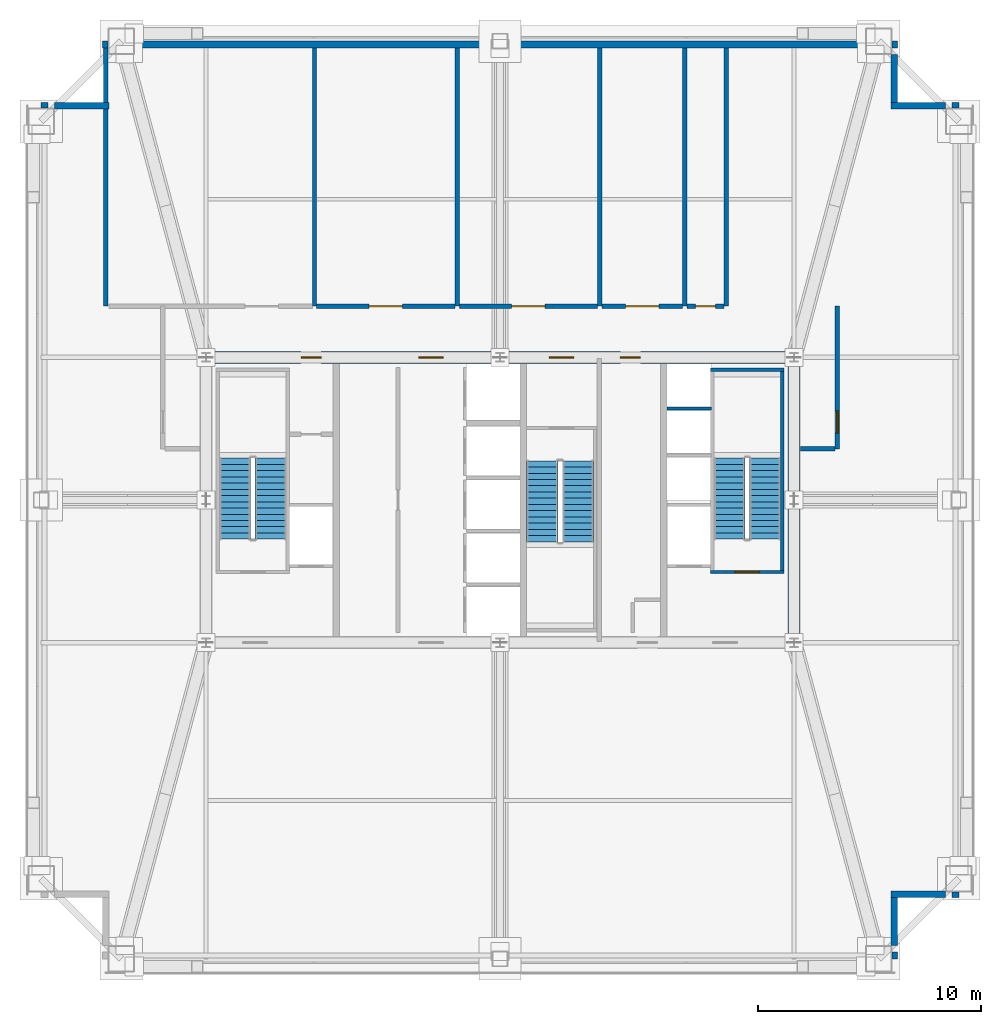
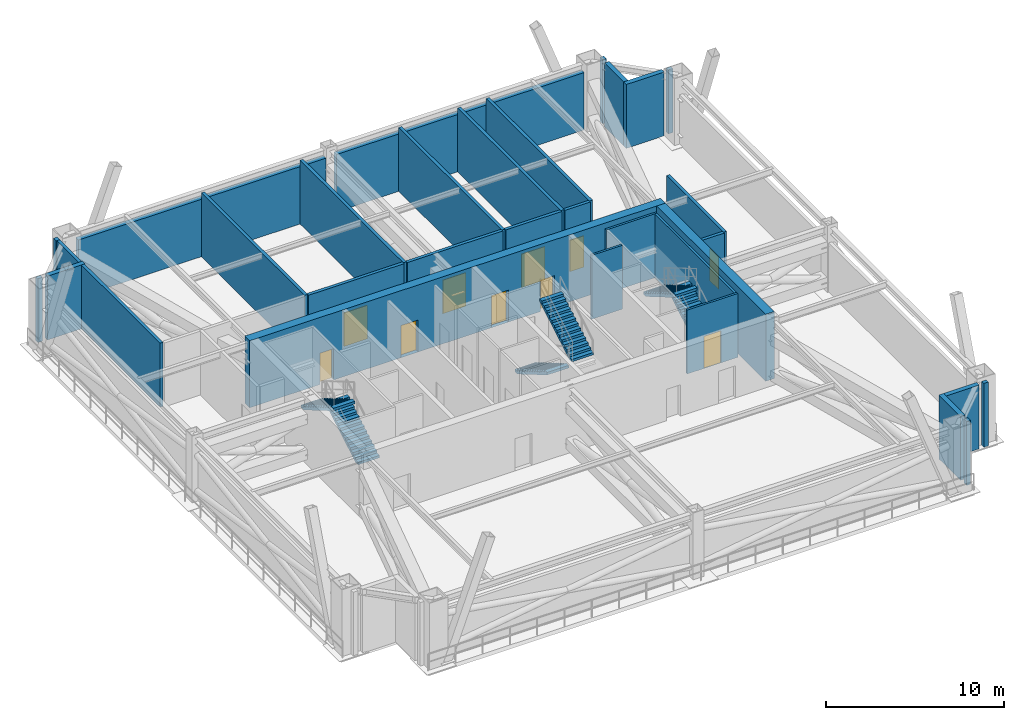
# One storey, part 5 of 9: 31 walls, 10 doors, 6 stair flights, 10 openings, 3 elements without a shape of their own.
"""IFC4 building model written with IfcOpenShell, lengths in metres."""

import ifcopenshell
import ifcopenshell.guid

model = None  # the IFC model being written
_history = None  # IfcOwnerHistory: only IFC2X3 demands one
_inside = {}  # id of a spatial element -> (the spatial element, [elements in it])
_under = {}  # id of a project, library or spatial element -> (it, [spatial elements below it])
_declared = {}  # id of a project -> (the project, [libraries it declares])
_typed = {}  # id of a type object -> (the type object, [elements of that type])
_made_of = {}  # id of a material, layer set ... -> (it, [elements and type objects made of it])


def new_model(schema):
    """Start an empty IFC model of exactly this schema.

    Asked for "IFC4X3", IfcOpenShell would pick the latest addendum, in which some entities
    have other attributes; the version numbers below select the first issue.
    IFC2X3 requires an IfcOwnerHistory on every rooted entity: one is made here for all.
    """
    global model, _history
    if schema == "IFC4X3":
        model = ifcopenshell.file(schema_version=(4, 3, 0, 0))
    else:
        model = ifcopenshell.file(schema=schema)
    _inside.clear()
    _under.clear()
    _declared.clear()
    _typed.clear()
    _made_of.clear()
    _history = None
    if model.schema == "IFC2X3":
        org = make("IfcOrganization", Name="unknown")
        user = make(
            "IfcPersonAndOrganization",
            ThePerson=make("IfcPerson", FamilyName="unknown"),
            TheOrganization=org,
        )
        app = make(
            "IfcApplication",
            ApplicationDeveloper=org,
            Version="unknown",
            ApplicationFullName="unknown",
            ApplicationIdentifier="unknown",
        )
        _history = make(
            "IfcOwnerHistory",
            OwningUser=user,
            OwningApplication=app,
            ChangeAction="ADDED",
            CreationDate=0,
        )
    return model


def make(cls, **values):
    """One entity of the class cls with the attributes given. An attribute that is None is left unset."""
    return model.create_entity(
        cls, **{name: value for name, value in values.items() if value is not None}
    )


def rooted(cls, **values):
    """An entity with a GlobalId (a new one), such as an element, a storey or a relation."""
    return make(cls, GlobalId=ifcopenshell.guid.new(), OwnerHistory=_history, **values)


def si_unit(unit_type, name, prefix=None):
    """IfcSIUnit, for example si_unit("LENGTHUNIT", "METRE", prefix="MILLI")."""
    return make("IfcSIUnit", UnitType=unit_type, Prefix=prefix, Name=name)


def assignment(units):
    """IfcUnitAssignment: the units of a project."""
    return None if units is None else make("IfcUnitAssignment", Units=units)


def point(xyz):
    """IfcCartesianPoint."""
    return None if xyz is None else make("IfcCartesianPoint", Coordinates=xyz)


def direction(xyz):
    """IfcDirection."""
    return None if xyz is None else make("IfcDirection", DirectionRatios=xyz)


def frame(location, z_axis=None, x_axis=None):
    """IfcAxis2Placement3D, a coordinate frame: its origin and axes. An axis left out is left unset."""
    return make(
        "IfcAxis2Placement3D",
        Location=point(location),
        Axis=direction(z_axis),
        RefDirection=direction(x_axis),
    )


def frame_2d(location, x_axis=None):
    """IfcAxis2Placement2D, a coordinate frame in the plane: its origin and x axis."""
    return make(
        "IfcAxis2Placement2D", Location=point(location), RefDirection=direction(x_axis)
    )


def origin():
    """The frame at (0, 0, 0) with its axes left unset."""
    return frame((0.0, 0.0, 0.0))


def place(relative_to, where):
    """IfcLocalPlacement: puts the frame where relative to a parent placement (None: the world)."""
    return make(
        "IfcLocalPlacement", PlacementRelTo=relative_to, RelativePlacement=where
    )


def context(
    kind, dimensions, precision=None, world=None, true_north=None, identifier=None
):
    """IfcGeometricRepresentationContext, for example the 3D "Model" context."""
    return make(
        "IfcGeometricRepresentationContext",
        ContextIdentifier=identifier,
        ContextType=kind,
        CoordinateSpaceDimension=dimensions,
        Precision=precision,
        WorldCoordinateSystem=world,
        TrueNorth=true_north,
    )


def subcontext(parent, identifier, kind, view, scale=None):
    """IfcGeometricRepresentationSubContext, for example "Body" below "Model"."""
    return make(
        "IfcGeometricRepresentationSubContext",
        ContextIdentifier=identifier,
        ContextType=kind,
        ParentContext=parent,
        TargetScale=scale,
        TargetView=view,
    )


def project(units=None, contexts=None):
    """IfcProject with its units and contexts."""
    return rooted(
        "IfcProject",
        Name="project",
        RepresentationContexts=contexts,
        UnitsInContext=assignment(units),
    )


def spatial(cls, under=None, at=None, **own):
    """A site, building, storey or space (cls), placed at a placement, below another one or the project."""
    s = rooted(cls, ObjectPlacement=at, **own)
    if under is not None:
        _under.setdefault(under.id(), (under, []))[1].append(s)
    return s


def polyline(points):
    """IfcPolyline through the points."""
    return make("IfcPolyline", Points=[point(p) for p in points])


def profile(cls, at=None, kind="AREA", **sizes):
    """A parametric profile (cls). Its sizes go by their IFC names, for example OverallWidth=200.0."""
    return make(cls, ProfileType=kind, Position=at, **sizes)


def rectangle(**sizes):
    """IfcRectangleProfileDef."""
    return profile("IfcRectangleProfileDef", **sizes)


def outline(outer, holes=None, kind="AREA"):
    """IfcArbitraryClosedProfileDef: a profile drawn as a closed curve; with holes, ...WithVoids."""
    if holes is None:
        return make("IfcArbitraryClosedProfileDef", ProfileType=kind, OuterCurve=outer)
    return make(
        "IfcArbitraryProfileDefWithVoids",
        ProfileType=kind,
        OuterCurve=outer,
        InnerCurves=holes,
    )


def extrude(swept, where, along, depth):
    """IfcExtrudedAreaSolid: the profile swept, set in the frame where, extruded along a direction by depth."""
    return make(
        "IfcExtrudedAreaSolid",
        SweptArea=swept,
        Position=where,
        ExtrudedDirection=direction(along),
        Depth=depth,
    )


def shape(context_of_items, identifier, shape_type, items):
    """IfcShapeRepresentation: the items that make up one representation, for example the "Body"."""
    return make(
        "IfcShapeRepresentation",
        ContextOfItems=context_of_items,
        RepresentationIdentifier=identifier,
        RepresentationType=shape_type,
        Items=items,
    )


def source(mapping_origin, context_of_items, identifier, shape_type, items):
    """IfcRepresentationMap: a shape defined once, which mapped items show again and again."""
    return make(
        "IfcRepresentationMap",
        MappingOrigin=mapping_origin,
        MappedRepresentation=shape(context_of_items, identifier, shape_type, items),
    )


def transform(
    local_origin,
    x_axis=None,
    y_axis=None,
    z_axis=None,
    scale=None,
    scale2=None,
    scale3=None,
    uniform=True,
):
    """IfcCartesianTransformationOperator3D, or its non-uniform kind. x_axis, y_axis, z_axis: its Axis1, 2, 3."""
    if uniform:
        return make(
            "IfcCartesianTransformationOperator3D",
            Axis1=direction(x_axis),
            Axis2=direction(y_axis),
            LocalOrigin=point(local_origin),
            Scale=scale,
            Axis3=direction(z_axis),
        )
    return make(
        "IfcCartesianTransformationOperator3DnonUniform",
        Axis1=direction(x_axis),
        Axis2=direction(y_axis),
        LocalOrigin=point(local_origin),
        Scale=scale,
        Axis3=direction(z_axis),
        Scale2=scale2,
        Scale3=scale3,
    )


def mapped(mapping_source, mapping_target):
    """IfcMappedItem: shows the shape of a source again, moved by a transform."""
    return make(
        "IfcMappedItem", MappingSource=mapping_source, MappingTarget=mapping_target
    )


def material(Name=None, Category=None):
    """IfcMaterial."""
    return make("IfcMaterial", Name=Name, Category=Category)


def layer(
    of_material, thickness, ventilated=None, Name=None, Category=None, Priority=None
):
    """IfcMaterialLayer: one layer of a wall or slab, of a material (None: an air gap)."""
    return make(
        "IfcMaterialLayer",
        Material=of_material,
        LayerThickness=thickness,
        IsVentilated=ventilated,
        Name=Name,
        Category=Category,
        Priority=Priority,
    )


def layer_set(layers, Name=None):
    """IfcMaterialLayerSet."""
    return make("IfcMaterialLayerSet", MaterialLayers=layers, LayerSetName=Name)


def made_of(thing, what):
    """Note that an element or type object is made of a material, layer set ...; save() writes the relation."""
    if what is not None:
        _made_of.setdefault(what.id(), (what, []))[1].append(thing)
    return thing


def type_object(cls, material=None, **own):
    """A type object (cls), such as IfcWallType, which elements share."""
    return made_of(rooted(cls, **own), material)


def element(
    cls,
    number,
    at=None,
    inside=None,
    cuts=None,
    type_object=None,
    material=None,
    context=None,
    identifier="Body",
    shape_type=None,
    held_by="IfcProductDefinitionShape",
    body=None,
    shapes=None,
    **own,
):
    """One element of the class cls, such as IfcWall. Its Tag is "e" and its number.

    at: its placement. inside: the storey or other place that contains it. cuts: it is an
    opening in that element (IfcRelVoidsElement). A single representation is given by context,
    identifier, shape_type and body (its items); several are given by shapes. held_by: the class
    of the entity that holds the representations. save() writes the other relations.
    """
    e = rooted(cls, Tag="e%d" % number, ObjectPlacement=at, **own)
    if body is not None:
        shapes = [shape(context, identifier, shape_type, body)]
    if shapes is not None:
        e.Representation = make(held_by, Representations=shapes)
    if inside is not None:
        _inside.setdefault(inside.id(), (inside, []))[1].append(e)
    if cuts is not None:
        rooted(
            "IfcRelVoidsElement", RelatingBuildingElement=cuts, RelatedOpeningElement=e
        )
    if type_object is not None:
        _typed.setdefault(type_object.id(), (type_object, []))[1].append(e)
    return made_of(e, material)


def fill(opening, filler):
    """IfcRelFillsElement: the door or window that sits in an opening."""
    return rooted(
        "IfcRelFillsElement",
        RelatingOpeningElement=opening,
        RelatedBuildingElement=filler,
    )


def aggregate(whole, parts):
    """IfcRelAggregates: a whole, such as a stair, and the parts it consists of."""
    return rooted("IfcRelAggregates", RelatingObject=whole, RelatedObjects=parts)


def save(model, path):
    """Write the relations noted so far, then the file.

    IfcRelAggregates (storeys below a building ...), IfcRelContainedInSpatialStructure (elements
    in a storey), IfcRelDefinesByType, IfcRelAssociatesMaterial and IfcRelDeclares: one each for
    every whole, place, type object, material and project.
    """
    for whole, parts in _under.values():
        aggregate(whole, parts)
    for where, things in _inside.values():
        rooted(
            "IfcRelContainedInSpatialStructure",
            RelatedElements=things,
            RelatingStructure=where,
        )
    for kind, things in _typed.values():
        rooted("IfcRelDefinesByType", RelatedObjects=things, RelatingType=kind)
    for what, things in _made_of.values():
        rooted("IfcRelAssociatesMaterial", RelatedObjects=things, RelatingMaterial=what)
    for by, libraries in _declared.values():
        rooted("IfcRelDeclares", RelatingContext=by, RelatedDefinitions=libraries)
    model.write(path)


model = new_model("IFC4")

# Units and contexts
model_context = context("Model", 3, precision=1e-05, world=origin(), true_north=direction((0.0, 1.0)))
body_context = subcontext(model_context, "Body", "Model", "MODEL_VIEW")
ifc_project = project(units=[si_unit("LENGTHUNIT", "METRE"), si_unit("AREAUNIT", "SQUARE_METRE"), si_unit("VOLUMEUNIT", "CUBIC_METRE"), si_unit("PLANEANGLEUNIT", "RADIAN"), si_unit("MASSUNIT", "GRAM", prefix="KILO"), si_unit("THERMODYNAMICTEMPERATUREUNIT", "KELVIN"), si_unit("POWERUNIT", "WATT")], contexts=[model_context])

# Site, building, storey
site_placement = place(None, origin())
site = spatial("IfcSite", under=ifc_project, at=site_placement, CompositionType="ELEMENT")
building_placement = place(site_placement, origin())
building = spatial("IfcBuilding", under=site, at=building_placement, Name="Yuzanri Waterfront Tower", CompositionType="ELEMENT")
storey_placement = place(building_placement, frame((0.0, 0.0, 219.5)))
storey = spatial("IfcBuildingStorey", under=building, at=storey_placement, Name="L58", CompositionType="ELEMENT", Elevation=219.5)

# Wall, openings, doors
ifc_material_1 = material(Name="Concrete C50", Category="concrete")
ifc_layer_1 = layer(ifc_material_1, 0.550048828125)
ifc_layer_set_1 = layer_set([ifc_layer_1], Name="Concrete C50")
wall_type_1 = type_object("IfcWallType", Name="Concrete C50 Upper-Mid Zone Core Shear Wall 550", PredefinedType="SHEAR", material=ifc_layer_set_1)
wall_1_placement = place(storey_placement, frame((23.52490234375, 32.199951171875, 0.0), z_axis=(0.0, 0.0, 1.0), x_axis=(1.0, 0.0, 0.0)))
wall_1 = element("IfcWall", 1, at=wall_1_placement, inside=storey, type_object=wall_type_1, Name="L58 Core North Shear Wall", PredefinedType="SHEAR", context=body_context, shape_type="SweptSolid", body=[
    extrude(rectangle(XDim=26.9501953125, YDim=0.550048828125, at=frame_2d((13.47509765625, 0.0))), origin(), (0.0, 0.0, 1.0), 4.60009765625),
])
opening_1_placement = place(wall_1_placement, frame((4.544921875, 0.0, 0.0)))
opening_1 = element("IfcOpeningElement", 2, at=opening_1_placement, cuts=wall_1, Name="Opening FD-0900", PredefinedType="OPENING", context=body_context, shape_type="SweptSolid", body=[
    extrude(rectangle(XDim=0.89990234375, YDim=2.14990234375, at=frame_2d((0.449951171875, 1.074951171875))), frame((0.0, 0.2900390625, 0.0), z_axis=(0.0, -1.0, 0.0), x_axis=(1.0, 0.0, 0.0)), (0.0, 0.0, 1.0), 0.579833984375),
])
opening_2_placement = place(wall_1_placement, frame((9.824951171875, 0.0, 0.0)))
opening_2 = element("IfcOpeningElement", 3, at=opening_2_placement, cuts=wall_1, Name="Opening FD-1100", PredefinedType="OPENING", context=body_context, shape_type="SweptSolid", body=[
    extrude(rectangle(XDim=1.10009765625, YDim=2.199951171875, at=frame_2d((0.550048828125, 1.10009765625))), frame((0.0, 0.2900390625, 0.0), z_axis=(0.0, -1.0, 0.0), x_axis=(1.0, 0.0, 0.0)), (0.0, 0.0, 1.0), 0.579833984375),
])
opening_3_placement = place(wall_1_placement, frame((15.675048828125, 0.0, 0.0)))
opening_3 = element("IfcOpeningElement", 4, at=opening_3_placement, cuts=wall_1, Name="Opening FD-1100", PredefinedType="OPENING", context=body_context, shape_type="SweptSolid", body=[
    extrude(rectangle(XDim=1.10009765625, YDim=2.199951171875, at=frame_2d((0.550048828125, 1.10009765625))), frame((0.0, 0.2900390625, 0.0), z_axis=(0.0, -1.0, 0.0), x_axis=(1.0, 0.0, 0.0)), (0.0, 0.0, 1.0), 0.579833984375),
])
opening_4_placement = place(wall_1_placement, frame((18.875, 0.0, 0.0)))
opening_4 = element("IfcOpeningElement", 5, at=opening_4_placement, cuts=wall_1, Name="Opening FD-0900", PredefinedType="OPENING", context=body_context, shape_type="SweptSolid", body=[
    extrude(rectangle(XDim=0.89990234375, YDim=2.14990234375, at=frame_2d((0.449951171875, 1.074951171875))), frame((0.0, 0.2900390625, 0.0), z_axis=(0.0, -1.0, 0.0), x_axis=(1.0, 0.0, 0.0)), (0.0, 0.0, 1.0), 0.579833984375),
])
ifc_material_2 = material(Name="Painted Galvanized Fire Steel", Category="steel")
door_type_1 = type_object("IfcDoorType", Name="Smoke-Proof Stair and Lobby Fire Door 1100x2200", OperationType="NOTDEFINED", PredefinedType="DOOR", material=ifc_material_2)
shared_shape_1 = source(origin(), body_context, "Body", "SweptSolid", [
    extrude(rectangle(XDim=1.10009765625, YDim=2.199951171875, at=frame_2d((0.550048828125, 1.10009765625))), frame((0.0, 0.02490234375, 0.0), z_axis=(0.0, -1.0, 0.0), x_axis=(1.0, 0.0, 0.0)), (0.0, 0.0, 1.0), 0.050048828125),
])
door_1_placement = place(opening_2_placement, origin())
door_1 = element("IfcDoor", 6, at=door_1_placement, inside=storey, type_object=door_type_1, Name="L58 Central Lift Lobby North Door", OperationType="SINGLE_SWING_RIGHT", OverallHeight=2.199951171875, OverallWidth=1.10009765625, PredefinedType="DOOR", context=body_context, shape_type="MappedRepresentation", body=[
    mapped(shared_shape_1, transform((0.0, 0.0, 0.0), scale=1.0)),
])
fill(opening_2, door_1)
door_2_placement = place(opening_3_placement, origin())
door_2 = element("IfcDoor", 7, at=door_2_placement, inside=storey, type_object=door_type_1, Name="L58 North Stair Lobby Door", OperationType="SINGLE_SWING_LEFT", OverallHeight=2.199951171875, OverallWidth=1.10009765625, PredefinedType="DOOR", context=body_context, shape_type="MappedRepresentation", body=[
    mapped(shared_shape_1, transform((0.0, 0.0, 0.0), scale=1.0)),
])
fill(opening_3, door_2)
ifc_material_3 = material(Name="Painted Galvanized Fire Steel", Category="steel")
door_type_2 = type_object("IfcDoorType", Name="Riser and Service Room Fire Door 900x2150", OperationType="NOTDEFINED", PredefinedType="DOOR", material=ifc_material_3)
shared_shape_2 = source(origin(), body_context, "Body", "SweptSolid", [
    extrude(rectangle(XDim=0.89990234375, YDim=2.14990234375, at=frame_2d((0.449951171875, 1.074951171875))), frame((0.0, 0.02490234375, 0.0), z_axis=(0.0, -1.0, 0.0), x_axis=(1.0, 0.0, 0.0)), (0.0, 0.0, 1.0), 0.050048828125),
])
door_3_placement = place(opening_1_placement, origin())
door_3 = element("IfcDoor", 8, at=door_3_placement, inside=storey, type_object=door_type_2, Name="L58 Telecom Riser Door", OperationType="SINGLE_SWING_LEFT", OverallHeight=2.14990234375, OverallWidth=0.89990234375, PredefinedType="DOOR", context=body_context, shape_type="MappedRepresentation", body=[
    mapped(shared_shape_2, transform((0.0, 0.0, 0.0), scale=1.0)),
])
fill(opening_1, door_3)
door_4_placement = place(opening_4_placement, origin())
door_4 = element("IfcDoor", 9, at=door_4_placement, inside=storey, type_object=door_type_2, Name="L58 Refuge Mechanical Equipment Store Room", OperationType="SINGLE_SWING_LEFT", OverallHeight=2.14990234375, OverallWidth=0.89990234375, PredefinedType="DOOR", context=body_context, shape_type="MappedRepresentation", body=[
    mapped(shared_shape_2, transform((0.0, 0.0, 0.0), scale=1.0)),
])
fill(opening_4, door_4)

# Wall, opening, door
ifc_material_4 = material(Name="Concrete C40", Category="concrete")
ifc_layer_2 = layer(ifc_material_4, 0.139892578125)
ifc_layer_set_2 = layer_set([ifc_layer_2], Name="Concrete C40")
wall_type_2 = type_object("IfcWallType", Name="Core Stair Liner and Hoistway Shaft Wall 140", PredefinedType="SOLIDWALL", material=ifc_layer_set_2)
wall_2_placement = place(storey_placement, frame((46.4599609375, 22.570068359375, 0.0), z_axis=(0.0, 0.0, 1.0), x_axis=(1.0, 0.0, 0.0)))
wall_2 = element("IfcWall", 10, at=wall_2_placement, inside=storey, type_object=wall_type_2, Name="L58 Shaft Wall STW-L58-ST-02-S", PredefinedType="SOLIDWALL", context=body_context, shape_type="SweptSolid", body=[
    extrude(rectangle(XDim=3.280029296875, YDim=0.139892578125, at=frame_2d((1.64013671875, 0.0))), origin(), (0.0, 0.0, 1.0), 4.3798828125),
])
opening_5_placement = place(wall_2_placement, frame((1.090087890625, 0.0, 0.0)))
opening_5 = element("IfcOpeningElement", 11, at=opening_5_placement, cuts=wall_2, Name="Opening FD-1100", PredefinedType="OPENING", context=body_context, shape_type="SweptSolid", body=[
    extrude(rectangle(XDim=1.10009765625, YDim=2.199951171875, at=frame_2d((0.550048828125, 1.10009765625))), frame((0.0, 0.0849609375, 0.0), z_axis=(0.0, -1.0, 0.0), x_axis=(1.0, 0.0, 0.0)), (0.0, 0.0, 1.0), 0.169677734375),
])
door_5_placement = place(opening_5_placement, origin())
door_5 = element("IfcDoor", 12, at=door_5_placement, inside=storey, type_object=door_type_1, Name="L58 Stair ST-02 Fire Door", OperationType="SINGLE_SWING_RIGHT", OverallHeight=2.199951171875, OverallWidth=1.10009765625, PredefinedType="DOOR", context=body_context, shape_type="MappedRepresentation", body=[
    mapped(shared_shape_1, transform((0.0, 0.0, 0.0), scale=1.0)),
])
fill(opening_5, door_5)

ifc_material_5 = material(Name="Autoclaved Aerated Concrete Blockwork", Category="masonry")
ifc_layer_3 = layer(ifc_material_5, 0.199951171875)
ifc_layer_set_3 = layer_set([ifc_layer_3], Name="Autoclaved Aerated Concrete Blockwork")
wall_type_3 = type_object("IfcWallType", Name="Corridor and Unit Party Fire Wall 200", PredefinedType="PARTITIONING", material=ifc_layer_set_3)
wall_3_placement = place(storey_placement, frame((52.14990234375, 28.10009765625, 0.0), z_axis=(0.0, 0.0, 1.0), x_axis=(0.0, 1.0, 0.0)))
wall_3 = element("IfcWall", 13, at=wall_3_placement, inside=storey, type_object=wall_type_3, Name="L58 Partition RFW-L58-CE", PredefinedType="PARTITIONING", context=body_context, shape_type="SweptSolid", body=[
    extrude(rectangle(XDim=6.39990234375, YDim=0.199951171875, at=frame_2d((3.199951171875, 0.0))), origin(), (0.0, 0.0, 1.0), 4.3798828125),
])
opening_6_placement = place(wall_3_placement, frame((0.699951171875, 0.0, 0.0)))
opening_6 = element("IfcOpeningElement", 14, at=opening_6_placement, cuts=wall_3, Name="Opening TD-1000", PredefinedType="OPENING", context=body_context, shape_type="SweptSolid", body=[
    extrude(rectangle(XDim=1.0, YDim=2.199951171875, at=frame_2d((0.5, 1.10009765625))), frame((0.0, 0.11474609375, 0.0), z_axis=(0.0, -1.0, 0.0), x_axis=(1.0, 0.0, 0.0)), (0.0, 0.0, 1.0), 0.229736328125),
])
ifc_material_6 = material(Name="Anodized Architectural Bronze", Category="metal")
door_type_3 = type_object("IfcDoorType", Name="Anodized Bronze Refuge Deck Weatherproof Exit Door 1000x2200", OperationType="NOTDEFINED", PredefinedType="DOOR", material=ifc_material_6)
shared_shape_3 = source(origin(), body_context, "Body", "SweptSolid", [
    extrude(rectangle(XDim=1.0, YDim=2.199951171875, at=frame_2d((0.5, 1.10009765625))), frame((0.0, 0.02490234375, 0.0), z_axis=(0.0, -1.0, 0.0), x_axis=(1.0, 0.0, 0.0)), (0.0, 0.0, 1.0), 0.050048828125),
])
door_6_placement = place(opening_6_placement, origin())
door_6 = element("IfcDoor", 15, at=door_6_placement, inside=storey, type_object=door_type_3, Name="L58 East Refuge Deck Exit Door", OperationType="SINGLE_SWING_LEFT", OverallHeight=2.199951171875, OverallWidth=1.0, PredefinedType="DOOR", context=body_context, shape_type="MappedRepresentation", body=[
    mapped(shared_shape_3, transform((0.0, 0.0, 0.0), scale=1.0)),
])
fill(opening_6, door_6)

wall_4_placement = place(storey_placement, frame((28.77099609375, 34.5, 0.0), z_axis=(0.0, 0.0, 1.0), x_axis=(1.0, 0.0, 0.0)))
wall_4 = element("IfcWall", 16, at=wall_4_placement, inside=storey, type_object=wall_type_3, Name="L58 Partition RFW-L58-018-S", PredefinedType="PARTITIONING", context=body_context, shape_type="SweptSolid", body=[
    extrude(rectangle(XDim=6.199951171875, YDim=0.199951171875, at=frame_2d((3.10009765625, 0.0))), origin(), (0.0, 0.0, 1.0), 4.3798828125),
])
opening_7_placement = place(wall_4_placement, frame((2.35009765625, 0.0, 0.0)))
opening_7 = element("IfcOpeningElement", 17, at=opening_7_placement, cuts=wall_4, Name="Opening FD-1500", PredefinedType="OPENING", context=body_context, shape_type="SweptSolid", body=[
    extrude(rectangle(XDim=1.5, YDim=2.300048828125, at=frame_2d((0.75, 1.14990234375))), frame((0.0, 0.11474609375, 0.0), z_axis=(0.0, -1.0, 0.0), x_axis=(1.0, 0.0, 0.0)), (0.0, 0.0, 1.0), 0.229736328125),
])
ifc_material_7 = material(Name="Painted Galvanized Fire Steel", Category="steel")
door_type_4 = type_object("IfcDoorType", Name="Plant and Ballroom Double Fire Door 1500x2300", OperationType="NOTDEFINED", PredefinedType="DOOR", material=ifc_material_7)
shared_shape_4 = source(origin(), body_context, "Body", "SweptSolid", [
    extrude(rectangle(XDim=1.5, YDim=2.300048828125, at=frame_2d((0.75, 1.14990234375))), frame((0.0, 0.02490234375, 0.0), z_axis=(0.0, -1.0, 0.0), x_axis=(1.0, 0.0, 0.0)), (0.0, 0.0, 1.0), 0.050048828125),
])
door_7_placement = place(opening_7_placement, origin())
door_7 = element("IfcDoor", 18, at=door_7_placement, inside=storey, type_object=door_type_4, Name="L58 Fire Booster and Transfer Pump Plant Room", OperationType="DOUBLE_DOOR_SINGLE_SWING", OverallHeight=2.300048828125, OverallWidth=1.5, PredefinedType="DOOR", context=body_context, shape_type="MappedRepresentation", body=[
    mapped(shared_shape_4, transform((0.0, 0.0, 0.0), scale=1.0)),
])
fill(opening_7, door_7)

wall_5_placement = place(storey_placement, frame((35.1708984375, 34.5, 0.0), z_axis=(0.0, 0.0, 1.0), x_axis=(1.0, 0.0, 0.0)))
wall_5 = element("IfcWall", 19, at=wall_5_placement, inside=storey, type_object=wall_type_3, Name="L58 Partition RFW-L58-019-S", PredefinedType="PARTITIONING", context=body_context, shape_type="SweptSolid", body=[
    extrude(rectangle(XDim=6.2001953125, YDim=0.199951171875, at=frame_2d((3.10009765625, 0.0))), origin(), (0.0, 0.0, 1.0), 4.3798828125),
])
opening_8_placement = place(wall_5_placement, frame((2.35009765625, 0.0, 0.0)))
opening_8 = element("IfcOpeningElement", 20, at=opening_8_placement, cuts=wall_5, Name="Opening FD-1500", PredefinedType="OPENING", context=body_context, shape_type="SweptSolid", body=[
    extrude(rectangle(XDim=1.5, YDim=2.300048828125, at=frame_2d((0.75, 1.14990234375))), frame((0.0, 0.11474609375, 0.0), z_axis=(0.0, -1.0, 0.0), x_axis=(1.0, 0.0, 0.0)), (0.0, 0.0, 1.0), 0.229736328125),
])
door_8_placement = place(opening_8_placement, origin())
door_8 = element("IfcDoor", 21, at=door_8_placement, inside=storey, type_object=door_type_4, Name="L58 Plate Heat-Exchanger Plant Room", OperationType="DOUBLE_DOOR_SINGLE_SWING", OverallHeight=2.300048828125, OverallWidth=1.5, PredefinedType="DOOR", context=body_context, shape_type="MappedRepresentation", body=[
    mapped(shared_shape_4, transform((0.0, 0.0, 0.0), scale=1.0)),
])
fill(opening_8, door_8)

wall_6_placement = place(storey_placement, frame((41.571044921875, 34.5, 0.0), z_axis=(0.0, 0.0, 1.0), x_axis=(1.0, 0.0, 0.0)))
wall_6 = element("IfcWall", 22, at=wall_6_placement, inside=storey, type_object=wall_type_3, Name="L58 Partition RFW-L58-020-S", PredefinedType="PARTITIONING", context=body_context, shape_type="SweptSolid", body=[
    extrude(rectangle(XDim=3.62890625, YDim=0.199951171875, at=frame_2d((1.814453125, 0.0))), origin(), (0.0, 0.0, 1.0), 4.3798828125),
])
opening_9_placement = place(wall_6_placement, frame((1.06494140625, 0.0, 0.0)))
opening_9 = element("IfcOpeningElement", 23, at=opening_9_placement, cuts=wall_6, Name="Opening FD-1500", PredefinedType="OPENING", context=body_context, shape_type="SweptSolid", body=[
    extrude(rectangle(XDim=1.5, YDim=2.300048828125, at=frame_2d((0.75, 1.14990234375))), frame((0.0, 0.11474609375, 0.0), z_axis=(0.0, -1.0, 0.0), x_axis=(1.0, 0.0, 0.0)), (0.0, 0.0, 1.0), 0.229736328125),
])
door_9_placement = place(opening_9_placement, origin())
door_9 = element("IfcDoor", 24, at=door_9_placement, inside=storey, type_object=door_type_4, Name="L58 Electrical Transformer and UPS Room", OperationType="DOUBLE_DOOR_SINGLE_SWING", OverallHeight=2.300048828125, OverallWidth=1.5, PredefinedType="DOOR", context=body_context, shape_type="MappedRepresentation", body=[
    mapped(shared_shape_4, transform((0.0, 0.0, 0.0), scale=1.0)),
])
fill(opening_9, door_9)

wall_7_placement = place(storey_placement, frame((45.39990234375, 34.5, 0.0), z_axis=(0.0, 0.0, 1.0), x_axis=(1.0, 0.0, 0.0)))
wall_7 = element("IfcWall", 25, at=wall_7_placement, inside=storey, type_object=wall_type_3, Name="L58 Partition RFW-L58-021-S", PredefinedType="PARTITIONING", context=body_context, shape_type="SweptSolid", body=[
    extrude(rectangle(XDim=1.650146484375, YDim=0.199951171875, at=frame_2d((0.8251953125, 0.0))), origin(), (0.0, 0.0, 1.0), 4.3798828125),
])
opening_10_placement = place(wall_7_placement, frame((0.3701171875, 0.0, 0.0)))
opening_10 = element("IfcOpeningElement", 26, at=opening_10_placement, cuts=wall_7, Name="Opening FD-0900", PredefinedType="OPENING", context=body_context, shape_type="SweptSolid", body=[
    extrude(rectangle(XDim=0.89990234375, YDim=2.14990234375, at=frame_2d((0.449951171875, 1.074951171875))), frame((0.0, 0.11474609375, 0.0), z_axis=(0.0, -1.0, 0.0), x_axis=(1.0, 0.0, 0.0)), (0.0, 0.0, 1.0), 0.229736328125),
])
door_10_placement = place(opening_10_placement, origin())
door_10 = element("IfcDoor", 27, at=door_10_placement, inside=storey, type_object=door_type_2, Name="L58 Refuge Accessible WC", OperationType="SINGLE_SWING_RIGHT", OverallHeight=2.14990234375, OverallWidth=0.89990234375, PredefinedType="DOOR", context=body_context, shape_type="MappedRepresentation", body=[
    mapped(shared_shape_2, transform((0.0, 0.0, 0.0), scale=1.0)),
])
fill(opening_10, door_10)

# Walls
shared_shape_5 = source(origin(), body_context, "Body", "SweptSolid", [
    extrude(rectangle(XDim=12.25, YDim=0.550048828125, at=frame_2d((6.125, 0.0))), origin(), (0.0, 0.0, 1.0), 4.60009765625),
])
wall_8_placement = place(storey_placement, frame((50.199951171875, 19.675048828125, 0.0), z_axis=(0.0, 0.0, 1.0), x_axis=(0.0, 1.0, 0.0)))
element("IfcWall", 28, at=wall_8_placement, inside=storey, type_object=wall_type_1, Name="L58 Core East Shear Wall", PredefinedType="SHEAR", context=body_context, shape_type="MappedRepresentation", body=[
    mapped(shared_shape_5, transform((0.0, 0.0, 0.0), scale=1.0)),
])
ifc_material_8 = material(Name="Honed Chongqing Dark Basalt Stone", Category="masonry")
ifc_layer_4 = layer(ifc_material_8, 0.300048828125)
ifc_layer_set_4 = layer_set([ifc_layer_4], Name="Honed Chongqing Dark Basalt Stone")
wall_type_4 = type_object("IfcWallType", Name="Bronze Rainscreen Insulated Spandrel Portal Wall 300", PredefinedType="SOLIDWALL", material=ifc_layer_set_4)
shared_shape_6 = source(origin(), body_context, "Body", "SweptSolid", [
    extrude(rectangle(XDim=2.449951171875, YDim=0.300048828125, at=frame_2d((1.22509765625, 0.0))), origin(), (0.0, 0.0, 1.0), 4.3798828125),
])
for number, where, z_axis, x_axis, name in (
    (29, (54.550048828125, 8.10009765625, 0.0), (0.0, 0.0, 1.0), (1.0, 0.0, 0.0), "L58 Notched Corner Masonry Wall SE-X"),
    (30, (54.699951171875, 5.800048828125, 0.0), (0.0, 0.0, 1.0), (0.0, 1.0, 0.0), "L58 Notched Corner Masonry Wall SE-Y"),
    (31, (19.449951171875, 43.5, 0.0), (0.0, 0.0, 1.0), (-1.0, 0.0, 0.0), "L58 Notched Corner Masonry Wall NW-X"),
    (32, (57.0, 43.5, 0.0), (0.0, 0.0, 1.0), (-1.0, 0.0, 0.0), "L58 Notched Corner Masonry Wall NE-X"),
    (33, (54.699951171875, 43.35009765625, 0.0), (0.0, 0.0, 1.0), (0.0, 1.0, 0.0), "L58 Notched Corner Masonry Wall NE-Y"),
):
    element("IfcWall", number, at=place(storey_placement, frame(where, z_axis=z_axis, x_axis=x_axis)), inside=storey, type_object=wall_type_4, Name=name, PredefinedType="SOLIDWALL", context=body_context, shape_type="MappedRepresentation", body=[
        mapped(shared_shape_6, transform((0.0, 0.0, 0.0), scale=1.0)),
    ])
shared_shape_7 = source(origin(), body_context, "Body", "SweptSolid", [
    extrude(rectangle(XDim=0.25, YDim=0.300048828125, at=frame_2d((0.125, 0.0))), origin(), (0.0, 0.0, 1.0), 4.3798828125),
])
for number, where, z_axis, x_axis, name in (
    (34, (54.60009765625, 5.35009765625, 0.0), (0.0, 0.0, 1.0), (1.0, 0.0, 0.0), "L58 Corner Column Shoulder Return CSE"),
    (35, (19.14990234375, 46.25, 0.0), (0.0, 0.0, 1.0), (1.0, 0.0, 0.0), "L58 Corner Column Shoulder Return CNW"),
    (36, (54.60009765625, 46.25, 0.0), (0.0, 0.0, 1.0), (1.0, 0.0, 0.0), "L58 Corner Column Shoulder Return CNE"),
    (37, (16.550048828125, 43.39990234375, 0.0), (0.0, 0.0, 1.0), (0.0, 1.0, 0.0), "L58 Corner Column Shoulder Return CWN"),
    (38, (57.449951171875, 7.949951171875, 0.0), (0.0, 0.0, 1.0), (0.0, 1.0, 0.0), "L58 Corner Column Shoulder Return CES"),
    (39, (57.449951171875, 43.39990234375, 0.0), (0.0, 0.0, 1.0), (0.0, 1.0, 0.0), "L58 Corner Column Shoulder Return CEN"),
):
    element("IfcWall", number, at=place(storey_placement, frame(where, z_axis=z_axis, x_axis=x_axis)), inside=storey, type_object=wall_type_4, Name=name, PredefinedType="SOLIDWALL", context=body_context, shape_type="MappedRepresentation", body=[
        mapped(shared_shape_7, transform((0.0, 0.0, 0.0), scale=1.0)),
    ])
shared_shape_8 = source(origin(), body_context, "Body", "SweptSolid", [
    extrude(rectangle(XDim=16.0498046875, YDim=0.300048828125, at=frame_2d((8.02490234375, 0.0))), origin(), (0.0, 0.0, 1.0), 3.93505859375),
])
for number, where, z_axis, x_axis, name in (
    (40, (20.60009765625, 46.25, 0.0), (0.0, 0.0, 1.0), (1.0, 0.0, 0.0), "L58 Refuge Plant North-West Wall"),
    (41, (37.35009765625, 46.25, 0.0), (0.0, 0.0, 1.0), (1.0, 0.0, 0.0), "L58 Refuge Plant North-East Wall"),
):
    element("IfcWall", number, at=place(storey_placement, frame(where, z_axis=z_axis, x_axis=x_axis)), inside=storey, type_object=wall_type_4, Name=name, PredefinedType="SOLIDWALL", context=body_context, shape_type="MappedRepresentation", body=[
        mapped(shared_shape_8, transform((0.0, 0.0, 0.0), scale=1.0)),
    ])
shared_shape_9 = source(origin(), body_context, "Body", "SweptSolid", [
    extrude(rectangle(XDim=2.0, YDim=0.139892578125, at=frame_2d((1.0, 0.0))), origin(), (0.0, 0.0, 1.0), 4.3798828125),
])
wall_9_placement = place(storey_placement, frame((44.5, 29.89990234375, 0.0), z_axis=(0.0, 0.0, 1.0), x_axis=(1.0, 0.0, 0.0)))
element("IfcWall", 42, at=wall_9_placement, inside=storey, type_object=wall_type_2, Name="L58 Lift PL-10 Divider Wall", PredefinedType="SOLIDWALL", context=body_context, shape_type="MappedRepresentation", body=[
    mapped(shared_shape_9, transform((0.0, 0.0, 0.0), scale=1.0)),
])
shared_shape_10 = source(origin(), body_context, "Body", "SweptSolid", [
    extrude(rectangle(XDim=3.280029296875, YDim=0.139892578125, at=frame_2d((1.64013671875, 0.0))), origin(), (0.0, 0.0, 1.0), 4.3798828125),
])
wall_10_placement = place(storey_placement, frame((46.4599609375, 31.64990234375, 0.0), z_axis=(0.0, 0.0, 1.0), x_axis=(1.0, 0.0, 0.0)))
element("IfcWall", 43, at=wall_10_placement, inside=storey, type_object=wall_type_2, Name="L58 Stair ST-02 North Shaft Wall", PredefinedType="SOLIDWALL", context=body_context, shape_type="MappedRepresentation", body=[
    mapped(shared_shape_10, transform((0.0, 0.0, 0.0), scale=1.0)),
])
shared_shape_11 = source(origin(), body_context, "Body", "SweptSolid", [
    extrude(rectangle(XDim=8.940185546875, YDim=0.139892578125, at=frame_2d((4.47021484375, 0.0))), origin(), (0.0, 0.0, 1.0), 4.3798828125),
])
wall_11_placement = place(storey_placement, frame((49.669921875, 22.639892578125, 0.0), z_axis=(0.0, 0.0, 1.0), x_axis=(0.0, 1.0, 0.0)))
element("IfcWall", 44, at=wall_11_placement, inside=storey, type_object=wall_type_2, Name="L58 Stair ST-02 East Shaft Wall", PredefinedType="SOLIDWALL", context=body_context, shape_type="MappedRepresentation", body=[
    mapped(shared_shape_11, transform((0.0, 0.0, 0.0), scale=1.0)),
])
shared_shape_12 = source(origin(), body_context, "Body", "SweptSolid", [
    extrude(rectangle(XDim=11.60009765625, YDim=0.199951171875, at=frame_2d((5.800048828125, 0.0))), origin(), (0.0, 0.0, 1.0), 4.3798828125),
])
for number, where, z_axis, x_axis, name in (
    (45, (19.300048828125, 34.5, 0.0), (0.0, 0.0, 1.0), (0.0, 1.0, 0.0), "L58 Plant West Wall"),
    (46, (28.6708984375, 34.5, 0.0), (0.0, 0.0, 1.0), (0.0, 1.0, 0.0), "L58-017 Plant Demising Wall"),
    (47, (35.071044921875, 34.5, 0.0), (0.0, 0.0, 1.0), (0.0, 1.0, 0.0), "L58-018 Plant Demising Wall"),
    (48, (41.470947265625, 34.5, 0.0), (0.0, 0.0, 1.0), (0.0, 1.0, 0.0), "L58-019 Plant Demising Wall"),
    (49, (45.300048828125, 34.5, 0.0), (0.0, 0.0, 1.0), (0.0, 1.0, 0.0), "L58-020 Plant Demising Wall"),
    (50, (47.14990234375, 34.5, 0.0), (0.0, 0.0, 1.0), (0.0, 1.0, 0.0), "L58-021 Plant Demising Wall"),
):
    element("IfcWall", number, at=place(storey_placement, frame(where, z_axis=z_axis, x_axis=x_axis)), inside=storey, type_object=wall_type_3, Name=name, PredefinedType="PARTITIONING", context=body_context, shape_type="MappedRepresentation", body=[
        mapped(shared_shape_12, transform((0.0, 0.0, 0.0), scale=1.0)),
    ])
shared_shape_13 = source(origin(), body_context, "Body", "SweptSolid", [
    extrude(rectangle(XDim=1.554931640625, YDim=0.199951171875, at=frame_2d((0.77734375, 0.0))), origin(), (0.0, 0.0, 1.0), 4.3798828125),
])
wall_12_placement = place(storey_placement, frame((50.4951171875, 28.10009765625, 0.0), z_axis=(0.0, 0.0, 1.0), x_axis=(1.0, 0.0, 0.0)))
element("IfcWall", 51, at=wall_12_placement, inside=storey, type_object=wall_type_3, Name="L58 East Refuge Vestibule South Wall", PredefinedType="PARTITIONING", context=body_context, shape_type="MappedRepresentation", body=[
    mapped(shared_shape_13, transform((0.0, 0.0, 0.0), scale=1.0)),
])

# Stair, stair flights
ifc_material_9 = material(Name="Concrete C40", Category="concrete")
stair_type = type_object("IfcStairType", Name="Concrete C40 Core Dogleg Exit Stair", PredefinedType="HALF_TURN_STAIR", material=ifc_material_9)
stair_1_placement = place(storey_placement, origin())
stair_1 = element("IfcStair", 52, at=stair_1_placement, inside=storey, type_object=stair_type, Name="L58 Smoke-Proof Core Stair ST-01", PredefinedType="HALF_TURN_STAIR")
ifc_material_10 = material(Name="Concrete C40", Category="concrete")
stair_flight_type = type_object("IfcStairFlightType", Name="Concrete C40 Tall-Storey Precast Stair Flight 1380", PredefinedType="STRAIGHT", material=ifc_material_10)
shared_shape_14 = source(origin(), body_context, "Body", "SweptSolid", [
    extrude(outline(polyline([(0.0, 0.0), (0.0, 0.164306640625), (0.280029296875, 0.164306640625), (0.280029296875, 0.32861328125), (0.56005859375, 0.32861328125), (0.56005859375, 0.492919921875), (0.840087890625, 0.492919921875), (0.840087890625, 0.6572265625), (1.1201171875, 0.6572265625), (1.1201171875, 0.821533203125), (1.39990234375, 0.821533203125), (1.39990234375, 0.985595703125), (1.679931640625, 0.985595703125), (1.679931640625, 1.14990234375), (1.9599609375, 1.14990234375), (1.9599609375, 1.314208984375), (2.239990234375, 1.314208984375), (2.239990234375, 1.478515625), (2.52001953125, 1.478515625), (2.52001953125, 1.642822265625), (2.800048828125, 1.642822265625), (2.800048828125, 1.80712890625), (3.080078125, 1.80712890625), (3.080078125, 1.971435546875), (3.360107421875, 1.971435546875), (3.360107421875, 2.1357421875), (3.639892578125, 2.1357421875), (3.639892578125, 2.300048828125), (3.639892578125, 1.9619140625), (0.296142578125, 0.0), (0.0, 0.0)])), frame((0.0, 0.699951171875, 0.0), z_axis=(0.0, -1.0, 0.0), x_axis=(1.0, 0.0, 0.0)), (0.0, 0.0, 1.0), 1.39990234375),
])
stair_flight_1_placement = place(storey_placement, frame((26.699951171875, 24.0400390625, 0.0), z_axis=(0.0, 0.0, 1.0), x_axis=(0.0, 1.0, 0.0)))
stair_flight_1 = element("IfcStairFlight", 53, at=stair_flight_1_placement, type_object=stair_flight_type, Name="ST-01 flight 1", NumberOfRisers=14, NumberOfTreads=13, PredefinedType="STRAIGHT", RiserHeight=0.164285714, TreadLength=0.28, context=body_context, shape_type="MappedRepresentation", body=[
    mapped(shared_shape_14, transform((0.0, 0.0, 0.0), scale=1.0)),
])
stair_flight_2_placement = place(storey_placement, frame((25.10009765625, 27.679931640625, 2.300048828125), z_axis=(0.0, 0.0, 1.0), x_axis=(0.0, -1.0, 0.0)))
stair_flight_2 = element("IfcStairFlight", 54, at=stair_flight_2_placement, type_object=stair_flight_type, Name="ST-01 flight 2", NumberOfRisers=14, NumberOfTreads=13, PredefinedType="STRAIGHT", RiserHeight=0.164285714, TreadLength=0.28, context=body_context, shape_type="MappedRepresentation", body=[
    mapped(shared_shape_14, transform((0.0, 0.0, 0.0), scale=1.0)),
])
aggregate(stair_1, [stair_flight_1, stair_flight_2])

stair_2_placement = place(storey_placement, origin())
stair_2 = element("IfcStair", 55, at=stair_2_placement, inside=storey, type_object=stair_type, Name="L58 Smoke-Proof Core Stair ST-02", PredefinedType="HALF_TURN_STAIR")
stair_flight_3_placement = place(storey_placement, frame((48.89990234375, 24.0400390625, 0.0), z_axis=(0.0, 0.0, 1.0), x_axis=(0.0, 1.0, 0.0)))
stair_flight_3 = element("IfcStairFlight", 56, at=stair_flight_3_placement, type_object=stair_flight_type, Name="ST-02 flight 1", NumberOfRisers=14, NumberOfTreads=13, PredefinedType="STRAIGHT", RiserHeight=0.164285714, TreadLength=0.28, context=body_context, shape_type="MappedRepresentation", body=[
    mapped(shared_shape_14, transform((0.0, 0.0, 0.0), scale=1.0)),
])
stair_flight_4_placement = place(storey_placement, frame((47.300048828125, 27.679931640625, 2.300048828125), z_axis=(0.0, 0.0, 1.0), x_axis=(0.0, -1.0, 0.0)))
stair_flight_4 = element("IfcStairFlight", 57, at=stair_flight_4_placement, type_object=stair_flight_type, Name="ST-02 flight 2", NumberOfRisers=14, NumberOfTreads=13, PredefinedType="STRAIGHT", RiserHeight=0.164285714, TreadLength=0.28, context=body_context, shape_type="MappedRepresentation", body=[
    mapped(shared_shape_14, transform((0.0, 0.0, 0.0), scale=1.0)),
])
aggregate(stair_2, [stair_flight_3, stair_flight_4])

stair_3_placement = place(storey_placement, origin())
stair_3 = element("IfcStair", 58, at=stair_3_placement, inside=storey, type_object=stair_type, Name="L58 Smoke-Proof Core Stair ST-03", PredefinedType="HALF_TURN_STAIR")
stair_flight_5_placement = place(storey_placement, frame((38.89990234375, 27.56005859375, 0.0), z_axis=(0.0, 0.0, 1.0), x_axis=(0.0, -1.0, 0.0)))
stair_flight_5 = element("IfcStairFlight", 59, at=stair_flight_5_placement, type_object=stair_flight_type, Name="ST-03 flight 1", NumberOfRisers=14, NumberOfTreads=13, PredefinedType="STRAIGHT", RiserHeight=0.164285714, TreadLength=0.28, context=body_context, shape_type="MappedRepresentation", body=[
    mapped(shared_shape_14, transform((0.0, 0.0, 0.0), scale=1.0)),
])
stair_flight_6_placement = place(storey_placement, frame((40.5, 23.919921875, 2.300048828125), z_axis=(0.0, 0.0, 1.0), x_axis=(0.0, 1.0, 0.0)))
stair_flight_6 = element("IfcStairFlight", 60, at=stair_flight_6_placement, type_object=stair_flight_type, Name="ST-03 flight 2", NumberOfRisers=14, NumberOfTreads=13, PredefinedType="STRAIGHT", RiserHeight=0.164285714, TreadLength=0.28, context=body_context, shape_type="MappedRepresentation", body=[
    mapped(shared_shape_14, transform((0.0, 0.0, 0.0), scale=1.0)),
])
aggregate(stair_3, [stair_flight_5, stair_flight_6])

save(model, "model.ifc")
